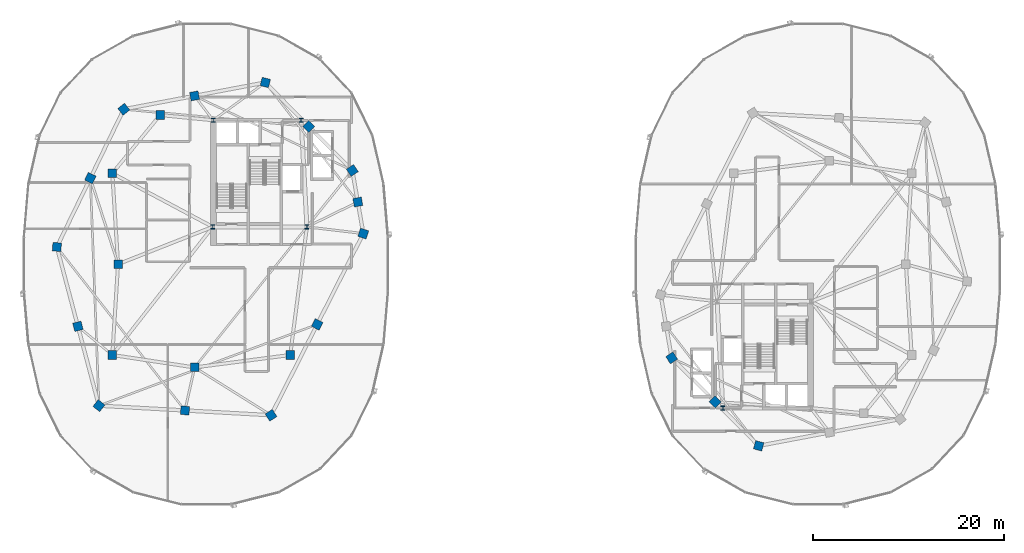
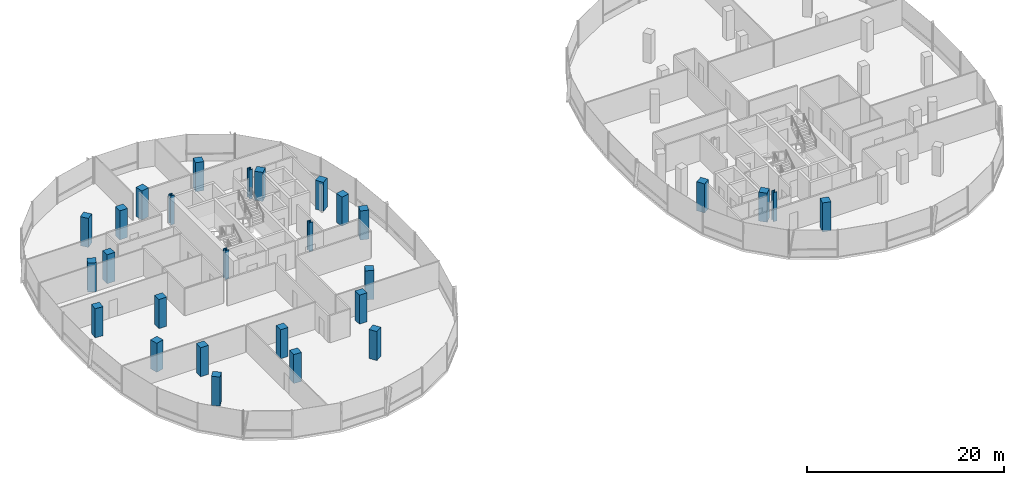
# One storey, part 1 of 25: 28 columns.
"""IFC4 building model written with IfcOpenShell, lengths in metres."""

from ifc_helpers import new_model, si_unit, direction, frame, origin, origin_2d, place, context, subcontext, project, spatial, rectangle, i_section, extrude, material, material_profile, profile_set, type_object, element, save


model = new_model("IFC4")

# Units and contexts
model_context = context("Model", 3, precision=1e-05, world=origin(), true_north=direction((0.0, 1.0)))
body_context = subcontext(model_context, "Body", "Model", "MODEL_VIEW")
ifc_project = project(units=[si_unit("LENGTHUNIT", "METRE"), si_unit("AREAUNIT", "SQUARE_METRE"), si_unit("VOLUMEUNIT", "CUBIC_METRE"), si_unit("PLANEANGLEUNIT", "RADIAN"), si_unit("MASSUNIT", "GRAM", prefix="KILO"), si_unit("THERMODYNAMICTEMPERATUREUNIT", "KELVIN"), si_unit("POWERUNIT", "WATT")], contexts=[model_context])

# Site, building, storey
site_placement = place(None, origin())
site = spatial("IfcSite", under=ifc_project, at=site_placement, CompositionType="ELEMENT")
building_placement = place(site_placement, origin())
building = spatial("IfcBuilding", under=site, at=building_placement, Name="Cundina Bronze Exchange", CompositionType="ELEMENT")
storey_placement = place(building_placement, frame((0.0, 0.0, 209.800048828125)))
storey = spatial("IfcBuildingStorey", under=building, at=storey_placement, Name="L55", CompositionType="ELEMENT", Elevation=209.800048828125)

# Columns
ifc_material_1 = material(Name="Steel ASTM A992 Grade 50", Category="steel")
ifc_material_profile_1 = material_profile(ifc_material_1, i_section(OverallWidth=0.416015625, OverallDepth=0.446044921875, WebThickness=0.0390625, FlangeThickness=0.062744140625, FilletRadius=0.01806640625, at=origin_2d()), Name="W14X342", Category="steel")
ifc_profile_set_1 = profile_set([ifc_material_profile_1], Name="Steel ASTM A992 Grade 50")
column_type_1 = type_object("IfcColumnType", Name="COL-STL-W14B", PredefinedType="COLUMN", material=ifc_profile_set_1)
for number, where, z_axis, x_axis, name in (
    (1, (-31.300048828125, 3.89990234375, 0.0), (0.0, 0.0, 1.0), (1.0, 0.0, 0.0), "L55 Core Anchor Column W1"),
    (2, (-21.449951171875, 3.89990234375, 0.0), (0.0, 0.0, 1.0), (1.0, 0.0, 0.0), "L55 Core Anchor Column W2"),
    (3, (-22.050048828125, 15.050048828125, 0.0), (0.0, 0.0, 1.0), (1.0, 0.0, 0.0), "L55 Core Anchor Column W3"),
    (4, (-31.25, 15.050048828125, 0.0), (0.0, 0.0, 1.0), (1.0, 0.0, 0.0), "L55 Core Anchor Column W4"),
    (5, (22.050048828125, -15.050048828125, 0.0), (0.0, 0.0, 1.0), (1.0, 0.0, 0.0), "L55 Core Anchor Column E3"),
):
    element("IfcColumn", number, at=place(storey_placement, frame(where, z_axis=z_axis, x_axis=x_axis)), inside=storey, type_object=column_type_1, Name=name, PredefinedType="COLUMN", context=body_context, shape_type="SweptSolid", body=[
        extrude(i_section(OverallWidth=0.416015625, OverallDepth=0.446044921875, WebThickness=0.0390625, FlangeThickness=0.062744140625, FilletRadius=0.01806640625, at=origin_2d()), origin(), (0.0, 0.0, 1.0), 3.599853515625),
    ])
ifc_material_2 = material(Name="Concrete C50/60", Category="concrete")
ifc_material_profile_2 = material_profile(ifc_material_2, rectangle(XDim=0.89990234375, YDim=0.89990234375, at=origin_2d()), Name="RC900X900", Category="concrete")
ifc_profile_set_2 = profile_set([ifc_material_profile_2], Name="Concrete C50/60")
column_type_2 = type_object("IfcColumnType", Name="COL-Z4-900", PredefinedType="COLUMN", material=ifc_profile_set_2)
for number, where, z_axis, x_axis, name in (
    (6, (-41.199951171875, 0.0, 0.0), (0.0, 0.0, 1.0), (1.0, 0.0, 0.0), "L55 W Inner Ring Column 1"),
    (7, (-41.800048828125, 9.5, 0.0), (0.0, 0.0, 1.0), (1.0, 0.0, 0.0), "L55 W Inner Ring Column 2"),
    (8, (-36.800048828125, 15.60009765625, 0.0), (0.0, 0.0, 1.0), (1.0, 0.0, 0.0), "L55 W Inner Ring Column 3"),
    (9, (-41.800048828125, -9.5, 0.0), (0.0, 0.0, 1.0), (1.0, 0.0, 0.0), "L55 W Inner Ring Column 4"),
    (10, (-33.199951171875, -10.800048828125, 0.0), (0.0, 0.0, 1.0), (1.0, 0.0, 0.0), "L55 W Inner Ring Column 5"),
    (11, (-23.199951171875, -9.5, 0.0), (0.0, 0.0, 1.0), (1.0, 0.0, 0.0), "L55 W Inner Ring Column 6"),
    (12, (-15.550048828125, 3.199951171875, 0.0), (0.0, 0.0, 1.0), (0.315152163383, 0.949041155016, 0.0), "L55 W Perimeter Column 00"),
    (13, (-16.125, 6.5, 0.0), (0.0, 0.0, 1.0), (-0.171585221787, 0.985169280715, 0.0), "L55 W Perimeter Column 01"),
    (14, (-16.699951171875, 9.800048828125, 0.0), (0.0, 0.0, 1.0), (-0.544199833495, 0.838955625301, 0.0), "L55 W Perimeter Column 02"),
    (15, (-21.25, 14.39990234375, 0.0), (0.0, 0.0, 1.0), (-0.703270634186, 0.710922228581, 0.0), "L55 W Perimeter Column 03"),
    (16, (-25.800048828125, 19.0, 0.0), (0.0, 0.0, 1.0), (-0.965970984022, 0.258650455301, 0.0), "L55 W Perimeter Column 04"),
    (17, (-33.199951171875, 17.60009765625, 0.0), (0.0, 0.0, 1.0), (-0.98258037664, -0.185838110843, 0.0), "L55 W Perimeter Column 05"),
    (18, (-40.60009765625, 16.199951171875, 0.0), (0.0, 0.0, 1.0), (-0.785100778485, -0.619368038909, 0.0), "L55 W Perimeter Column 06"),
    (19, (-44.10009765625, 9.0, 0.0), (0.0, 0.0, 1.0), (-0.437115766651, -0.899405251566, 0.0), "L55 W Perimeter Column 07"),
    (20, (-47.60009765625, 1.800048828125, 0.0), (0.0, 0.0, 1.0), (-0.083503921245, -0.996507448611, 0.0), "L55 W Perimeter Column 08"),
    (21, (-45.39990234375, -6.5, 0.0), (0.0, 0.0, 1.0), (0.256289373133, -0.966600102017, 0.0), "L55 W Perimeter Column 09"),
    (22, (-43.199951171875, -14.800048828125, 0.0), (0.0, 0.0, 1.0), (0.786288432137, -0.61785961309, 0.0), "L55 W Perimeter Column 10"),
    (23, (-34.199951171875, -15.300048828125, 0.0), (0.0, 0.0, 1.0), (0.998460188734, -0.055472980025, 0.0), "L55 W Perimeter Column 11"),
    (24, (-25.199951171875, -15.800048828125, 0.0), (0.0, 0.0, 1.0), (0.838099763533, 0.545516989988, 0.0), "L55 W Perimeter Column 12"),
    (25, (-20.375, -6.300048828125, 0.0), (0.0, 0.0, 1.0), (0.452901591366, 0.891560513111, 0.0), "L55 W Perimeter Column 13"),
    (26, (16.699951171875, -9.800048828125, 0.0), (0.0, 0.0, 1.0), (0.544199833495, -0.838955625301, 0.0), "L55 E Perimeter Column 02"),
    (27, (21.25, -14.39990234375, 0.0), (0.0, 0.0, 1.0), (0.703270634186, -0.710922228581, 0.0), "L55 E Perimeter Column 03"),
    (28, (25.800048828125, -19.0, 0.0), (0.0, 0.0, 1.0), (0.965970984022, -0.258650455301, 0.0), "L55 E Perimeter Column 04"),
):
    element("IfcColumn", number, at=place(storey_placement, frame(where, z_axis=z_axis, x_axis=x_axis)), inside=storey, type_object=column_type_2, Name=name, PredefinedType="COLUMN", context=body_context, shape_type="SweptSolid", body=[
        extrude(rectangle(XDim=0.89990234375, YDim=0.89990234375, at=origin_2d()), origin(), (0.0, 0.0, 1.0), 3.599853515625),
    ])

save(model, "model.ifc")
